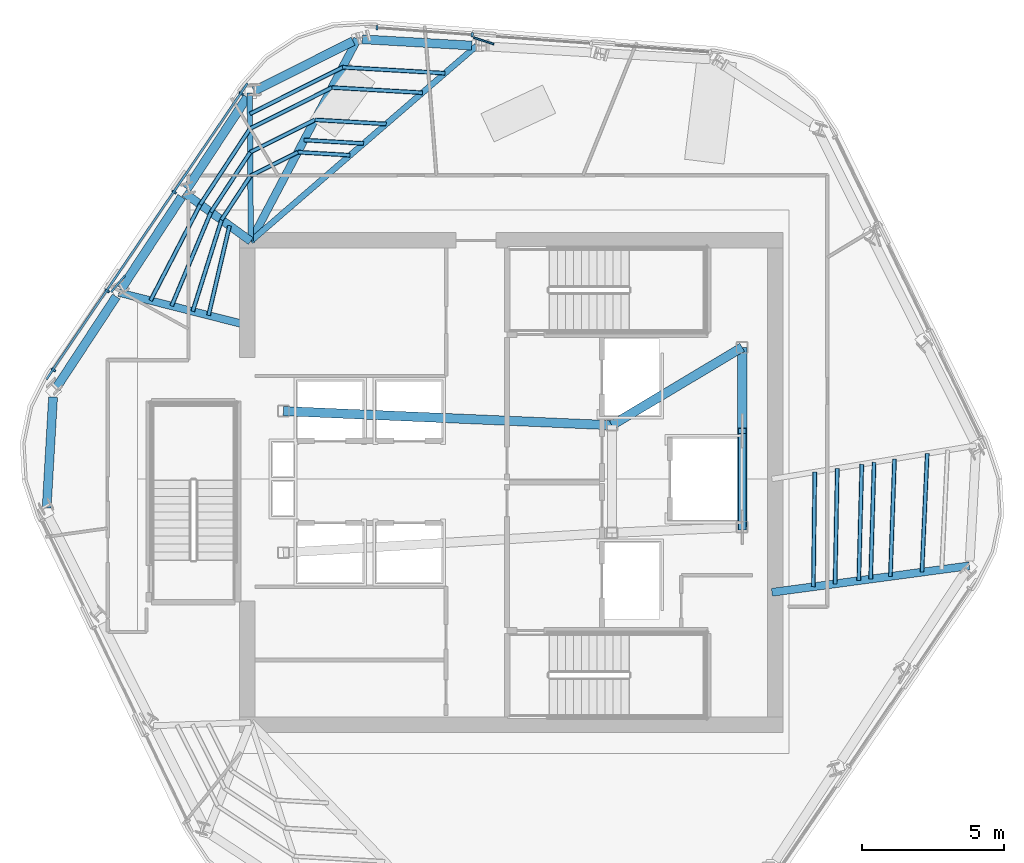
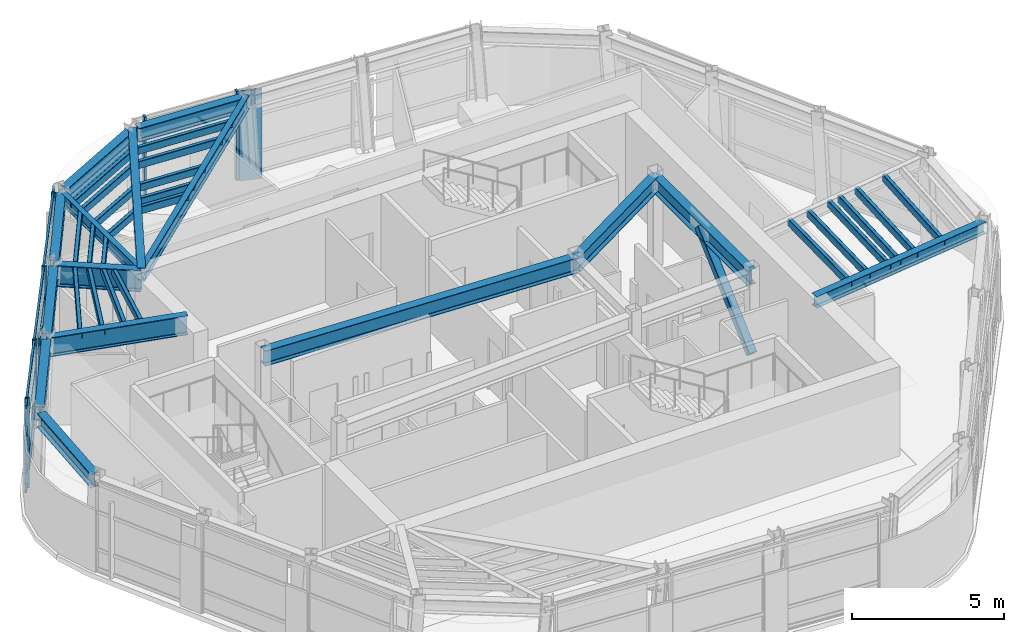
# One storey, part 3 of 11: 35 members, 15 beams, 2 elements without a shape of their own.
"""IFC4 building model written with IfcOpenShell, lengths in metres."""

import ifcopenshell
import ifcopenshell.guid

model = None  # the IFC model being written
_history = None  # IfcOwnerHistory: only IFC2X3 demands one
_inside = {}  # id of a spatial element -> (the spatial element, [elements in it])
_under = {}  # id of a project, library or spatial element -> (it, [spatial elements below it])
_declared = {}  # id of a project -> (the project, [libraries it declares])
_typed = {}  # id of a type object -> (the type object, [elements of that type])
_made_of = {}  # id of a material, layer set ... -> (it, [elements and type objects made of it])


def new_model(schema):
    """Start an empty IFC model of exactly this schema.

    Asked for "IFC4X3", IfcOpenShell would pick the latest addendum, in which some entities
    have other attributes; the version numbers below select the first issue.
    IFC2X3 requires an IfcOwnerHistory on every rooted entity: one is made here for all.
    """
    global model, _history
    if schema == "IFC4X3":
        model = ifcopenshell.file(schema_version=(4, 3, 0, 0))
    else:
        model = ifcopenshell.file(schema=schema)
    _inside.clear()
    _under.clear()
    _declared.clear()
    _typed.clear()
    _made_of.clear()
    _history = None
    if model.schema == "IFC2X3":
        org = make("IfcOrganization", Name="unknown")
        user = make(
            "IfcPersonAndOrganization",
            ThePerson=make("IfcPerson", FamilyName="unknown"),
            TheOrganization=org,
        )
        app = make(
            "IfcApplication",
            ApplicationDeveloper=org,
            Version="unknown",
            ApplicationFullName="unknown",
            ApplicationIdentifier="unknown",
        )
        _history = make(
            "IfcOwnerHistory",
            OwningUser=user,
            OwningApplication=app,
            ChangeAction="ADDED",
            CreationDate=0,
        )
    return model


def make(cls, **values):
    """One entity of the class cls with the attributes given. An attribute that is None is left unset."""
    return model.create_entity(
        cls, **{name: value for name, value in values.items() if value is not None}
    )


def rooted(cls, **values):
    """An entity with a GlobalId (a new one), such as an element, a storey or a relation."""
    return make(cls, GlobalId=ifcopenshell.guid.new(), OwnerHistory=_history, **values)


def si_unit(unit_type, name, prefix=None):
    """IfcSIUnit, for example si_unit("LENGTHUNIT", "METRE", prefix="MILLI")."""
    return make("IfcSIUnit", UnitType=unit_type, Prefix=prefix, Name=name)


def assignment(units):
    """IfcUnitAssignment: the units of a project."""
    return None if units is None else make("IfcUnitAssignment", Units=units)


def point(xyz):
    """IfcCartesianPoint."""
    return None if xyz is None else make("IfcCartesianPoint", Coordinates=xyz)


def direction(xyz):
    """IfcDirection."""
    return None if xyz is None else make("IfcDirection", DirectionRatios=xyz)


def frame(location, z_axis=None, x_axis=None):
    """IfcAxis2Placement3D, a coordinate frame: its origin and axes. An axis left out is left unset."""
    return make(
        "IfcAxis2Placement3D",
        Location=point(location),
        Axis=direction(z_axis),
        RefDirection=direction(x_axis),
    )


def frame_2d(location, x_axis=None):
    """IfcAxis2Placement2D, a coordinate frame in the plane: its origin and x axis."""
    return make(
        "IfcAxis2Placement2D", Location=point(location), RefDirection=direction(x_axis)
    )


def origin():
    """The frame at (0, 0, 0) with its axes left unset."""
    return frame((0.0, 0.0, 0.0))


def origin_2d():
    """The frame at (0, 0) in the plane with its x axis left unset."""
    return frame_2d((0.0, 0.0))


def place(relative_to, where):
    """IfcLocalPlacement: puts the frame where relative to a parent placement (None: the world)."""
    return make(
        "IfcLocalPlacement", PlacementRelTo=relative_to, RelativePlacement=where
    )


def context(
    kind, dimensions, precision=None, world=None, true_north=None, identifier=None
):
    """IfcGeometricRepresentationContext, for example the 3D "Model" context."""
    return make(
        "IfcGeometricRepresentationContext",
        ContextIdentifier=identifier,
        ContextType=kind,
        CoordinateSpaceDimension=dimensions,
        Precision=precision,
        WorldCoordinateSystem=world,
        TrueNorth=true_north,
    )


def subcontext(parent, identifier, kind, view, scale=None):
    """IfcGeometricRepresentationSubContext, for example "Body" below "Model"."""
    return make(
        "IfcGeometricRepresentationSubContext",
        ContextIdentifier=identifier,
        ContextType=kind,
        ParentContext=parent,
        TargetScale=scale,
        TargetView=view,
    )


def project(units=None, contexts=None):
    """IfcProject with its units and contexts."""
    return rooted(
        "IfcProject",
        Name="project",
        RepresentationContexts=contexts,
        UnitsInContext=assignment(units),
    )


def spatial(cls, under=None, at=None, **own):
    """A site, building, storey or space (cls), placed at a placement, below another one or the project."""
    s = rooted(cls, ObjectPlacement=at, **own)
    if under is not None:
        _under.setdefault(under.id(), (under, []))[1].append(s)
    return s


def profile(cls, at=None, kind="AREA", **sizes):
    """A parametric profile (cls). Its sizes go by their IFC names, for example OverallWidth=200.0."""
    return make(cls, ProfileType=kind, Position=at, **sizes)


def rectangle(**sizes):
    """IfcRectangleProfileDef."""
    return profile("IfcRectangleProfileDef", **sizes)


def hollow_rectangle(**sizes):
    """IfcRectangleHollowProfileDef."""
    return profile("IfcRectangleHollowProfileDef", **sizes)


def i_section(**sizes):
    """IfcIShapeProfileDef."""
    return profile("IfcIShapeProfileDef", **sizes)


def extrude(swept, where, along, depth):
    """IfcExtrudedAreaSolid: the profile swept, set in the frame where, extruded along a direction by depth."""
    return make(
        "IfcExtrudedAreaSolid",
        SweptArea=swept,
        Position=where,
        ExtrudedDirection=direction(along),
        Depth=depth,
    )


def shape(context_of_items, identifier, shape_type, items):
    """IfcShapeRepresentation: the items that make up one representation, for example the "Body"."""
    return make(
        "IfcShapeRepresentation",
        ContextOfItems=context_of_items,
        RepresentationIdentifier=identifier,
        RepresentationType=shape_type,
        Items=items,
    )


def material(Name=None, Category=None):
    """IfcMaterial."""
    return make("IfcMaterial", Name=Name, Category=Category)


def layer(
    of_material, thickness, ventilated=None, Name=None, Category=None, Priority=None
):
    """IfcMaterialLayer: one layer of a wall or slab, of a material (None: an air gap)."""
    return make(
        "IfcMaterialLayer",
        Material=of_material,
        LayerThickness=thickness,
        IsVentilated=ventilated,
        Name=Name,
        Category=Category,
        Priority=Priority,
    )


def layer_set(layers, Name=None):
    """IfcMaterialLayerSet."""
    return make("IfcMaterialLayerSet", MaterialLayers=layers, LayerSetName=Name)


def material_profile(
    of_material, cross_section, Name=None, Category=None, Priority=None
):
    """IfcMaterialProfile: a cross section and its material."""
    return make(
        "IfcMaterialProfile",
        Name=Name,
        Material=of_material,
        Profile=cross_section,
        Priority=Priority,
        Category=Category,
    )


def profile_set(profiles, Name=None, composite=None):
    """IfcMaterialProfileSet."""
    return make(
        "IfcMaterialProfileSet",
        Name=Name,
        MaterialProfiles=profiles,
        CompositeProfile=composite,
    )


def made_of(thing, what):
    """Note that an element or type object is made of a material, layer set ...; save() writes the relation."""
    if what is not None:
        _made_of.setdefault(what.id(), (what, []))[1].append(thing)
    return thing


def type_object(cls, material=None, **own):
    """A type object (cls), such as IfcWallType, which elements share."""
    return made_of(rooted(cls, **own), material)


def element(
    cls,
    number,
    at=None,
    inside=None,
    cuts=None,
    type_object=None,
    material=None,
    context=None,
    identifier="Body",
    shape_type=None,
    held_by="IfcProductDefinitionShape",
    body=None,
    shapes=None,
    **own,
):
    """One element of the class cls, such as IfcWall. Its Tag is "e" and its number.

    at: its placement. inside: the storey or other place that contains it. cuts: it is an
    opening in that element (IfcRelVoidsElement). A single representation is given by context,
    identifier, shape_type and body (its items); several are given by shapes. held_by: the class
    of the entity that holds the representations. save() writes the other relations.
    """
    e = rooted(cls, Tag="e%d" % number, ObjectPlacement=at, **own)
    if body is not None:
        shapes = [shape(context, identifier, shape_type, body)]
    if shapes is not None:
        e.Representation = make(held_by, Representations=shapes)
    if inside is not None:
        _inside.setdefault(inside.id(), (inside, []))[1].append(e)
    if cuts is not None:
        rooted(
            "IfcRelVoidsElement", RelatingBuildingElement=cuts, RelatedOpeningElement=e
        )
    if type_object is not None:
        _typed.setdefault(type_object.id(), (type_object, []))[1].append(e)
    return made_of(e, material)


def aggregate(whole, parts):
    """IfcRelAggregates: a whole, such as a stair, and the parts it consists of."""
    return rooted("IfcRelAggregates", RelatingObject=whole, RelatedObjects=parts)


def save(model, path):
    """Write the relations noted so far, then the file.

    IfcRelAggregates (storeys below a building ...), IfcRelContainedInSpatialStructure (elements
    in a storey), IfcRelDefinesByType, IfcRelAssociatesMaterial and IfcRelDeclares: one each for
    every whole, place, type object, material and project.
    """
    for whole, parts in _under.values():
        aggregate(whole, parts)
    for where, things in _inside.values():
        rooted(
            "IfcRelContainedInSpatialStructure",
            RelatedElements=things,
            RelatingStructure=where,
        )
    for kind, things in _typed.values():
        rooted("IfcRelDefinesByType", RelatedObjects=things, RelatingType=kind)
    for what, things in _made_of.values():
        rooted("IfcRelAssociatesMaterial", RelatedObjects=things, RelatingMaterial=what)
    for by, libraries in _declared.values():
        rooted("IfcRelDeclares", RelatingContext=by, RelatedDefinitions=libraries)
    model.write(path)


model = new_model("IFC4")

# Units and contexts
model_context = context("Model", 3, precision=1e-05, world=origin(), true_north=direction((0.0, 1.0)))
body_context = subcontext(model_context, "Body", "Model", "MODEL_VIEW")
ifc_project = project(units=[si_unit("LENGTHUNIT", "METRE"), si_unit("AREAUNIT", "SQUARE_METRE"), si_unit("VOLUMEUNIT", "CUBIC_METRE"), si_unit("PLANEANGLEUNIT", "RADIAN"), si_unit("MASSUNIT", "GRAM", prefix="KILO")], contexts=[model_context])

# Site, building, storey
site_placement = place(None, origin())
site = spatial("IfcSite", under=ifc_project, at=site_placement, CompositionType="ELEMENT")
building_placement = place(site_placement, origin())
building = spatial("IfcBuilding", under=site, at=building_placement, Name="Valkerne Bourse Tower", CompositionType="ELEMENT")
storey_placement = place(building_placement, frame((0.0, 0.0, 266.0)))
storey = spatial("IfcBuildingStorey", under=building, at=storey_placement, Name="L67", CompositionType="ELEMENT", Elevation=266.0)

# Beams
ifc_material_1 = material(Name="Steel ASTM A992", Category="steel")
ifc_material_profile_1 = material_profile(ifc_material_1, i_section(OverallWidth=0.1904296875, OverallDepth=0.457275390625, WebThickness=0.009033203125, FlangeThickness=0.014404296875, FilletRadius=0.01513671875, at=origin_2d()), Name="W18X50")
ifc_profile_set_1 = profile_set([ifc_material_profile_1], Name="Steel ASTM A992")
beam_type_1 = type_object("IfcBeamType", Name="BM-W18X50", PredefinedType="JOIST", material=ifc_profile_set_1)
beam_1_placement = place(storey_placement, frame((37.5654296875, 40.625, 3.371337890625), z_axis=(0.0066347479, -0.999977989818, 0.0), x_axis=(0.999977989818, 0.0066347479, 0.0)))
element("IfcBeam", 1, at=beam_1_placement, inside=storey, type_object=beam_type_1, Name="L67 Radial Composite Floor Beam 04", PredefinedType="JOIST", context=body_context, shape_type="SweptSolid", body=[
    extrude(i_section(OverallWidth=0.1904296875, OverallDepth=0.457275390625, WebThickness=0.009033203125, FlangeThickness=0.014404296875, FilletRadius=0.01513671875, at=origin_2d()), origin(), (0.0, 0.0, 1.0), 5.22509765625),
])
ifc_material_profile_2 = material_profile(ifc_material_1, i_section(OverallWidth=0.279296875, OverallDepth=0.46240234375, WebThickness=0.0107421875, FlangeThickness=0.017333984375, FilletRadius=0.017822265625, at=origin_2d()), Name="W18X76")
ifc_profile_set_2 = profile_set([ifc_material_profile_2], Name="Steel ASTM A992")
beam_type_2 = type_object("IfcBeamType", Name="BM-W18X76", PredefinedType="BEAM", material=ifc_profile_set_2)
beam_2_placement = place(storey_placement, frame((41.367431640625, 42.537109375, 3.368896484375), z_axis=(-0.466804625418, -0.884360470447, 0.0), x_axis=(0.884360470447, -0.466804625418, 0.0)))
element("IfcBeam", 2, at=beam_2_placement, inside=storey, type_object=beam_type_2, Name="L67 Radial Composite Floor Beam 03", PredefinedType="BEAM", context=body_context, shape_type="SweptSolid", body=[
    extrude(i_section(OverallWidth=0.279296875, OverallDepth=0.46240234375, WebThickness=0.0107421875, FlangeThickness=0.017333984375, FilletRadius=0.017822265625, at=origin_2d()), origin(), (0.0, 0.0, 1.0), 8.070556640625),
])
beam_3_placement = place(storey_placement, frame((62.971923828125, 23.936279296875, 3.368896484375), z_axis=(-0.991102882, -0.133097998826, 0.0), x_axis=(0.133097998826, -0.991102882, 0.0)))
element("IfcBeam", 3, at=beam_3_placement, inside=storey, type_object=beam_type_2, Name="L67 Radial Composite Floor Beam 19", PredefinedType="BEAM", context=body_context, shape_type="SweptSolid", body=[
    extrude(i_section(OverallWidth=0.279296875, OverallDepth=0.46240234375, WebThickness=0.0107421875, FlangeThickness=0.017333984375, FilletRadius=0.017822265625, at=origin_2d()), origin(), (0.0, 0.0, 1.0), 7.034423828125),
])
ifc_material_profile_3 = material_profile(ifc_material_1, i_section(OverallWidth=0.31494140625, OverallDepth=0.5537109375, WebThickness=0.0166015625, FlangeThickness=0.026123046875, FilletRadius=0.020263671875, at=origin_2d()), Name="W21X132")
ifc_profile_set_3 = profile_set([ifc_material_profile_3], Name="Steel ASTM A992")
beam_type_3 = type_object("IfcBeamType", Name="BM-W21X132", PredefinedType="BEAM", material=ifc_profile_set_3)
beam_4_placement = place(storey_placement, frame((45.402587890625, 42.3046875, 3.322998046875), z_axis=(-0.998345166941, 0.057505892266, 0.0), x_axis=(-0.057505892266, -0.998345166941, 0.0)))
element("IfcBeam", 4, at=beam_4_placement, inside=storey, type_object=beam_type_3, Name="L67 Hexagonal Spandrel Ring Beam 02", PredefinedType="BEAM", context=body_context, shape_type="SweptSolid", body=[
    extrude(i_section(OverallWidth=0.31494140625, OverallDepth=0.5537109375, WebThickness=0.0166015625, FlangeThickness=0.026123046875, FilletRadius=0.020263671875, at=origin_2d()), origin(), (0.0, 0.0, 1.0), 3.871826171875),
])
beam_5_placement = place(storey_placement, frame((41.215576171875, 42.460693359375, 3.322998046875), z_axis=(-0.89338981278, -0.4492823638, 0.0), x_axis=(0.4492823638, -0.89338981278, 0.0)))
element("IfcBeam", 5, at=beam_5_placement, inside=storey, type_object=beam_type_3, Name="L67 Hexagonal Spandrel Ring Beam 03", PredefinedType="BEAM", context=body_context, shape_type="SweptSolid", body=[
    extrude(i_section(OverallWidth=0.31494140625, OverallDepth=0.5537109375, WebThickness=0.0166015625, FlangeThickness=0.026123046875, FilletRadius=0.020263671875, at=origin_2d()), origin(), (0.0, 0.0, 1.0), 3.915771484375),
])
for number, where, z_axis, x_axis, name in (
    (6, (37.47216796875, 40.48291015625, 3.322998046875), (-0.549070935457, -0.835775752123, 0.0), (0.835775752123, -0.549070935457, 0.0), "L67 Hexagonal Spandrel Ring Beam 04"),
    (7, (35.15966796875, 36.962646484375, 3.322998046875), (-0.549042001335, -0.835794759956, 0.0), (0.835794759956, -0.549042001335, 0.0), "L67 Hexagonal Spandrel Ring Beam 05"),
    (8, (32.84716796875, 33.442138671875, 3.322998046875), (-0.54899795508, -0.835823692723, 0.0), (0.835823692723, -0.54899795508, 0.0), "L67 Hexagonal Spandrel Ring Beam 06"),
):
    element("IfcBeam", number, at=place(storey_placement, frame(where, z_axis=z_axis, x_axis=x_axis)), inside=storey, type_object=beam_type_3, Name=name, PredefinedType="BEAM", context=body_context, shape_type="SweptSolid", body=[
        extrude(i_section(OverallWidth=0.31494140625, OverallDepth=0.5537109375, WebThickness=0.0166015625, FlangeThickness=0.026123046875, FilletRadius=0.020263671875, at=origin_2d()), origin(), (0.0, 0.0, 1.0), 3.8720703125),
    ])
beam_6_placement = place(storey_placement, frame((30.618408203125, 29.89404296875, 3.322998046875), z_axis=(-0.05761087569, -0.99833911423, 0.0), x_axis=(0.99833911423, -0.05761087569, 0.0)))
element("IfcBeam", 9, at=beam_6_placement, inside=storey, type_object=beam_type_3, Name="L67 Hexagonal Spandrel Ring Beam 07", PredefinedType="BEAM", context=body_context, shape_type="SweptSolid", body=[
    extrude(i_section(OverallWidth=0.31494140625, OverallDepth=0.5537109375, WebThickness=0.0166015625, FlangeThickness=0.026123046875, FilletRadius=0.020263671875, at=origin_2d()), origin(), (0.0, 0.0, 1.0), 3.915771484375),
])
ifc_material_profile_4 = material_profile(ifc_material_1, i_section(OverallWidth=0.209228515625, OverallDepth=0.533447265625, WebThickness=0.01025390625, FlangeThickness=0.015625, FilletRadius=0.017822265625, at=origin_2d()), Name="W21X62")
ifc_profile_set_4 = profile_set([ifc_material_profile_4], Name="Steel ASTM A992")
beam_type_4 = type_object("IfcBeamType", Name="BM-W21X62", PredefinedType="JOIST", material=ifc_profile_set_4)
beam_7_placement = place(storey_placement, frame((45.572509765625, 42.294921875, 3.333251953125), z_axis=(-0.756365030854, -0.654149784149, 0.0), x_axis=(0.654149784149, -0.756365030854, 0.0)))
element("IfcBeam", 10, at=beam_7_placement, inside=storey, type_object=beam_type_4, Name="L67 Radial Composite Floor Beam 02", PredefinedType="JOIST", context=body_context, shape_type="SweptSolid", body=[
    extrude(i_section(OverallWidth=0.209228515625, OverallDepth=0.533447265625, WebThickness=0.01025390625, FlangeThickness=0.015625, FilletRadius=0.017822265625, at=origin_2d()), origin(), (0.0, 0.0, 1.0), 10.54052734375),
])
ifc_material_profile_5 = material_profile(ifc_material_1, i_section(OverallWidth=0.3251953125, OverallDepth=0.612060546875, WebThickness=0.0126953125, FlangeThickness=0.01904296875, FilletRadius=0.020263671875, at=origin_2d()), Name="W24X104")
ifc_profile_set_5 = profile_set([ifc_material_profile_5], Name="Steel ASTM A992")
beam_type_5 = type_object("IfcBeamType", Name="BM-W24X104", PredefinedType="BEAM", material=ifc_profile_set_5)
beam_8_placement = place(storey_placement, frame((50.35009765625, 28.89990234375, 3.2939453125), z_axis=(0.858307823492, 0.513135148019, 0.0), x_axis=(-0.513135148019, 0.858307823492, 0.0)))
element("IfcBeam", 11, at=beam_8_placement, inside=storey, type_object=beam_type_5, Name="L67 Core Frame Girder CG-NE", PredefinedType="BEAM", context=body_context, shape_type="SweptSolid", body=[
    extrude(i_section(OverallWidth=0.3251953125, OverallDepth=0.612060546875, WebThickness=0.0126953125, FlangeThickness=0.01904296875, FilletRadius=0.020263671875, at=origin_2d()), origin(), (0.0, 0.0, 1.0), 5.359130859375),
])
beam_9_placement = place(storey_placement, frame((54.949951171875, 25.300048828125, 3.2939453125), z_axis=(0.0, 1.0, 0.0), x_axis=(-1.0, 0.0, 0.0)))
element("IfcBeam", 12, at=beam_9_placement, inside=storey, type_object=beam_type_5, Name="L67 Core Frame Girder CG-EE", PredefinedType="BEAM", context=body_context, shape_type="SweptSolid", body=[
    extrude(i_section(OverallWidth=0.3251953125, OverallDepth=0.612060546875, WebThickness=0.0126953125, FlangeThickness=0.01904296875, FilletRadius=0.020263671875, at=origin_2d()), origin(), (0.0, 0.0, 1.0), 6.349853515625),
])
beam_10_placement = place(storey_placement, frame((38.75, 29.39990234375, 3.2939453125), z_axis=(0.999072354402, -0.043063101019, 0.0), x_axis=(0.043063101019, 0.999072354402, 0.0)))
element("IfcBeam", 13, at=beam_10_placement, inside=storey, type_object=beam_type_5, Name="L67 Core Frame Girder CG-NW", PredefinedType="BEAM", context=body_context, shape_type="SweptSolid", body=[
    extrude(i_section(OverallWidth=0.3251953125, OverallDepth=0.612060546875, WebThickness=0.0126953125, FlangeThickness=0.01904296875, FilletRadius=0.020263671875, at=origin_2d()), origin(), (0.0, 0.0, 1.0), 11.61083984375),
])
ifc_material_profile_6 = material_profile(ifc_material_1, i_section(OverallWidth=0.26806640625, OverallDepth=0.76953125, WebThickness=0.015625, FlangeThickness=0.025390625, FilletRadius=0.025390625, at=origin_2d()), Name="W30X132")
ifc_profile_set_6 = profile_set([ifc_material_profile_6], Name="Steel ASTM A992")
beam_type_6 = type_object("IfcBeamType", Name="BM-W30X132", PredefinedType="BEAM", material=ifc_profile_set_6)
beam_11_placement = place(storey_placement, frame((32.9404296875, 33.584228515625, 3.215087890625), z_axis=(0.969185176906, -0.246333296299, 0.0), x_axis=(0.246333296299, 0.969185176906, 0.0)))
element("IfcBeam", 14, at=beam_11_placement, inside=storey, type_object=beam_type_6, Name="L67 Radial Composite Floor Beam 06", PredefinedType="BEAM", context=body_context, shape_type="SweptSolid", body=[
    extrude(i_section(OverallWidth=0.26806640625, OverallDepth=0.76953125, WebThickness=0.015625, FlangeThickness=0.025390625, FilletRadius=0.025390625, at=origin_2d()), origin(), (0.0, 0.0, 1.0), 4.807861328125),
])
ifc_material_profile_7 = material_profile(ifc_material_1, i_section(OverallWidth=0.2919921875, OverallDepth=0.8583984375, WebThickness=0.01708984375, FlangeThickness=0.031005859375, FilletRadius=0.025390625, at=origin_2d()), Name="W33X169")
ifc_profile_set_7 = profile_set([ifc_material_profile_7], Name="Steel ASTM A992")
beam_type_7 = type_object("IfcBeamType", Name="BM-W33X169", PredefinedType="BEAM", material=ifc_profile_set_7)
beam_12_placement = place(storey_placement, frame((35.2529296875, 37.104736328125, 3.170654296875), z_axis=(0.809096220334, -0.587676191657, 0.0), x_axis=(0.587676191657, 0.809096220334, 0.0)))
element("IfcBeam", 15, at=beam_12_placement, inside=storey, type_object=beam_type_7, Name="L67 Radial Composite Floor Beam 05", PredefinedType="BEAM", context=body_context, shape_type="SweptSolid", body=[
    extrude(i_section(OverallWidth=0.2919921875, OverallDepth=0.8583984375, WebThickness=0.01708984375, FlangeThickness=0.031005859375, FilletRadius=0.025390625, at=origin_2d()), origin(), (0.0, 0.0, 1.0), 2.90087890625),
])

# Curtain wall, members
ifc_material_2 = material(Name="Aluminium AA 6063-T6", Category="aluminium")
ifc_layer = layer(ifc_material_2, 0.2451171875)
ifc_layer_set = layer_set([ifc_layer], Name="Aluminium AA 6063-T6")
curtain_wall_type = type_object("IfcCurtainWallType", Name="CW-05", PredefinedType="NOTDEFINED", material=ifc_layer_set)
curtain_wall_1_placement = place(storey_placement, origin())
curtain_wall_1 = element("IfcCurtainWall", 16, at=curtain_wall_1_placement, inside=storey, type_object=curtain_wall_type, Name="L67 Hexagonal Stick Curtain Wall Face 1", PredefinedType="NOTDEFINED")
ifc_material_profile_8 = material_profile(ifc_material_2, rectangle(XDim=0.074951171875, YDim=0.159912109375, at=origin_2d()), Name="CWM-75X160")
ifc_profile_set_8 = profile_set([ifc_material_profile_8], Name="Aluminium AA 6063-T6")
member_type_1 = type_object("IfcMemberType", Name="CW-MUL-160X75", PredefinedType="MULLION", material=ifc_profile_set_8)
member_1_placement = place(storey_placement, frame((45.418701171875, 42.681884765625, 0.0), z_axis=(0.0, 0.0, 1.0), x_axis=(-0.997315866516, 0.073219276126, 0.0)))
member_1 = element("IfcMember", 17, at=member_1_placement, type_object=member_type_1, Name="CW-L67-F1 Jamb Mullion 02A", PredefinedType="MULLION", context=body_context, shape_type="SweptSolid", body=[
    extrude(rectangle(XDim=0.074951171875, YDim=0.159912109375, at=origin_2d()), origin(), (0.0, 0.0, 1.0), 3.60009765625),
])
member_2_placement = place(storey_placement, frame((42.055908203125, 42.928955078125, 0.0), z_axis=(0.0, 0.0, 1.0), x_axis=(-0.997315866516, 0.073219276126, 0.0)))
member_2 = element("IfcMember", 18, at=member_2_placement, type_object=member_type_1, Name="CW-L67-F1 Jamb Mullion 02B", PredefinedType="MULLION", context=body_context, shape_type="SweptSolid", body=[
    extrude(rectangle(XDim=0.074951171875, YDim=0.159912109375, at=origin_2d()), origin(), (0.0, 0.0, 1.0), 3.60009765625),
])
aggregate(curtain_wall_1, [member_1, member_2])

curtain_wall_2_placement = place(storey_placement, origin())
curtain_wall_2 = element("IfcCurtainWall", 19, at=curtain_wall_2_placement, inside=storey, type_object=curtain_wall_type, Name="L67 Hexagonal Stick Curtain Wall Face 2", PredefinedType="NOTDEFINED")
member_3_placement = place(storey_placement, frame((37.263427734375, 40.6123046875, 0.0), z_axis=(0.0, 0.0, 1.0), x_axis=(-0.562080117496, -0.827082790001, 0.0)))
member_3 = element("IfcMember", 20, at=member_3_placement, type_object=member_type_1, Name="CW-L67-F2 Jamb Mullion 00A", PredefinedType="MULLION", context=body_context, shape_type="SweptSolid", body=[
    extrude(rectangle(XDim=0.074951171875, YDim=0.159912109375, at=origin_2d()), origin(), (0.0, 0.0, 1.0), 3.60009765625),
])
member_4_placement = place(storey_placement, frame((34.89599609375, 37.12841796875, 0.0), z_axis=(0.0, 0.0, 1.0), x_axis=(-0.562080117496, -0.827082790001, 0.0)))
member_4 = element("IfcMember", 21, at=member_4_placement, type_object=member_type_1, Name="CW-L67-F2 Jamb Mullion 01A", PredefinedType="MULLION", context=body_context, shape_type="SweptSolid", body=[
    extrude(rectangle(XDim=0.074951171875, YDim=0.159912109375, at=origin_2d()), origin(), (0.0, 0.0, 1.0), 3.60009765625),
])
member_5_placement = place(storey_placement, frame((32.5283203125, 33.644775390625, 0.0), z_axis=(0.0, 0.0, 1.0), x_axis=(-0.562091154776, -0.827075289029, 0.0)))
member_5 = element("IfcMember", 22, at=member_5_placement, type_object=member_type_1, Name="CW-L67-F2 Jamb Mullion 02A", PredefinedType="MULLION", context=body_context, shape_type="SweptSolid", body=[
    extrude(rectangle(XDim=0.074951171875, YDim=0.159912109375, at=origin_2d()), origin(), (0.0, 0.0, 1.0), 3.60009765625),
])
member_6_placement = place(storey_placement, frame((30.633056640625, 30.85595703125, 0.0), z_axis=(0.0, 0.0, 1.0), x_axis=(-0.562091154776, -0.827075289029, 0.0)))
member_6 = element("IfcMember", 23, at=member_6_placement, type_object=member_type_1, Name="CW-L67-F2 Jamb Mullion 02B", PredefinedType="MULLION", context=body_context, shape_type="SweptSolid", body=[
    extrude(rectangle(XDim=0.074951171875, YDim=0.159912109375, at=origin_2d()), origin(), (0.0, 0.0, 1.0), 3.60009765625),
])
ifc_material_profile_9 = material_profile(ifc_material_2, rectangle(XDim=0.074951171875, YDim=0.1201171875, at=origin_2d()), Name="CWT-75X120")
ifc_profile_set_9 = profile_set([ifc_material_profile_9], Name="Aluminium AA 6063-T6")
member_type_2 = type_object("IfcMemberType", Name="CW-TRN-120X75", PredefinedType="USERDEFINED", material=ifc_profile_set_9)
member_7_placement = place(storey_placement, frame((37.48291015625, 40.970947265625, 0.1201171875), z_axis=(-0.562075353029, -0.827086027882, 0.0), x_axis=(0.827086027882, -0.562075353029, 0.0)))
member_7 = element("IfcMember", 24, at=member_7_placement, type_object=member_type_2, Name="CW-L67-F2 Continuous Face Transom 1", ObjectType="TRANSOM", PredefinedType="USERDEFINED", context=body_context, shape_type="SweptSolid", body=[
    extrude(rectangle(XDim=0.074951171875, YDim=0.1201171875, at=origin_2d()), origin(), (0.0, 0.0, 1.0), 12.6357421875),
])
member_8_placement = place(storey_placement, frame((37.48291015625, 40.970947265625, 0.89990234375), z_axis=(-0.562075353029, -0.827086027882, 0.0), x_axis=(0.827086027882, -0.562075353029, 0.0)))
member_8 = element("IfcMember", 25, at=member_8_placement, type_object=member_type_2, Name="CW-L67-F2 Continuous Face Transom 2", ObjectType="TRANSOM", PredefinedType="USERDEFINED", context=body_context, shape_type="SweptSolid", body=[
    extrude(rectangle(XDim=0.074951171875, YDim=0.1201171875, at=origin_2d()), origin(), (0.0, 0.0, 1.0), 12.6357421875),
])
member_9_placement = place(storey_placement, frame((37.48291015625, 40.970947265625, 2.39990234375), z_axis=(-0.562075353029, -0.827086027882, 0.0), x_axis=(0.827086027882, -0.562075353029, 0.0)))
member_9 = element("IfcMember", 26, at=member_9_placement, type_object=member_type_2, Name="CW-L67-F2 Continuous Face Transom 3", ObjectType="TRANSOM", PredefinedType="USERDEFINED", context=body_context, shape_type="SweptSolid", body=[
    extrude(rectangle(XDim=0.074951171875, YDim=0.1201171875, at=origin_2d()), origin(), (0.0, 0.0, 1.0), 12.6357421875),
])
member_10_placement = place(storey_placement, frame((37.48291015625, 40.970947265625, 3.52001953125), z_axis=(-0.562075353029, -0.827086027882, 0.0), x_axis=(0.827086027882, -0.562075353029, 0.0)))
member_10 = element("IfcMember", 27, at=member_10_placement, type_object=member_type_2, Name="CW-L67-F2 Continuous Face Transom 4", ObjectType="TRANSOM", PredefinedType="USERDEFINED", context=body_context, shape_type="SweptSolid", body=[
    extrude(rectangle(XDim=0.074951171875, YDim=0.1201171875, at=origin_2d()), origin(), (0.0, 0.0, 1.0), 12.6357421875),
])
aggregate(curtain_wall_2, [member_7, member_8, member_9, member_10, member_3, member_4, member_5, member_6])

# Members
ifc_material_3 = material(Name="Bronze Anodised Aluminium AA 6063-T6", Category="aluminium")
ifc_material_profile_10 = material_profile(ifc_material_3, rectangle(XDim=0.06494140625, YDim=0.75, at=origin_2d()), Name="FIN-65X750")
ifc_profile_set_10 = profile_set([ifc_material_profile_10], Name="Bronze Anodised Aluminium AA 6063-T6")
member_type_3 = type_object("IfcMemberType", Name="FIN-SOLAR-650", PredefinedType="USERDEFINED", material=ifc_profile_set_10)
for number, where, z_axis, x_axis, name in (
    (28, (45.824462890625, 42.4716796875, 0.00390625), (0.0, 0.0, 1.0), (0.310914268998, 0.950437960802, 0.0), "L67 Bronze Anodised Solar Fin F1-02"),
    (29, (32.913330078125, 33.89111328125, 0.00390625), (0.0, 0.0, 1.0), (-0.767971418356, 0.640484114236, 0.0), "L67 Bronze Anodised Solar Fin F2-02"),
):
    element("IfcMember", number, at=place(storey_placement, frame(where, z_axis=z_axis, x_axis=x_axis)), inside=storey, type_object=member_type_3, Name=name, ObjectType="SOLAR_FIN", PredefinedType="USERDEFINED", context=body_context, shape_type="SweptSolid", body=[
        extrude(rectangle(XDim=0.06494140625, YDim=0.75, at=origin_2d()), origin(), (0.0, 0.0, 1.0), 3.592041015625),
    ])
ifc_material_4 = material(Name="Steel ASTM A500 Grade C", Category="steel")
ifc_material_profile_11 = material_profile(ifc_material_4, hollow_rectangle(XDim=0.14990234375, YDim=0.300048828125, WallThickness=0.012451171875, OuterFilletRadius=0.02490234375, at=origin_2d()), Name="HSS300X150X12.5")
ifc_profile_set_11 = profile_set([ifc_material_profile_11], Name="Steel ASTM A500 Grade C")
member_type_4 = type_object("IfcMemberType", Name="MBR-HSS300X150X12.5", PredefinedType="PURLIN", material=ifc_profile_set_11)
member_11_placement = place(storey_placement, frame((36.84912109375, 35.945556640625, 3.43994140625), z_axis=(-0.227616424919, -0.973750873225, 0.0), x_axis=(0.973750873225, -0.227616424919, 0.0)))
element("IfcMember", 30, at=member_11_placement, inside=storey, type_object=member_type_4, Name="L67 Secondary Composite Floor Purlin I-05", PredefinedType="PURLIN", context=body_context, shape_type="SweptSolid", body=[
    extrude(hollow_rectangle(XDim=0.14990234375, YDim=0.300048828125, WallThickness=0.012451171875, OuterFilletRadius=0.02490234375, at=origin_2d()), origin(), (0.0, 0.0, 1.0), 3.252197265625),
])
member_12_placement = place(storey_placement, frame((58.23095703125, 23.299560546875, 3.43994140625), z_axis=(0.019206510334, 0.999815537967, 0.0), x_axis=(-0.999815537967, 0.019206510334, 0.0)))
element("IfcMember", 31, at=member_12_placement, inside=storey, type_object=member_type_4, Name="L67 Secondary Composite Floor Purlin I-19", PredefinedType="PURLIN", context=body_context, shape_type="SweptSolid", body=[
    extrude(hollow_rectangle(XDim=0.14990234375, YDim=0.300048828125, WallThickness=0.012451171875, OuterFilletRadius=0.02490234375, at=origin_2d()), origin(), (0.0, 0.0, 1.0), 4.080322265625),
])
member_13_placement = place(storey_placement, frame((41.10791015625, 38.43359375, 3.43994140625), z_axis=(-0.998341398143, 0.05757128411, 0.0), x_axis=(-0.05757128411, -0.998341398143, 0.0)))
element("IfcMember", 32, at=member_13_placement, inside=storey, type_object=member_type_4, Name="L67 Secondary Composite Floor Purlin K-02", PredefinedType="PURLIN", context=body_context, shape_type="SweptSolid", body=[
    extrude(hollow_rectangle(XDim=0.14990234375, YDim=0.300048828125, WallThickness=0.012451171875, OuterFilletRadius=0.02490234375, at=origin_2d()), origin(), (0.0, 0.0, 1.0), 1.853271484375),
])
member_14_placement = place(storey_placement, frame((39.2578125, 38.540283203125, 3.43994140625), z_axis=(-0.893408012895, -0.449246171375, 0.0), x_axis=(0.449246171375, -0.893408012895, 0.0)))
element("IfcMember", 33, at=member_14_placement, inside=storey, type_object=member_type_4, Name="L67 Secondary Composite Floor Purlin K-03", PredefinedType="PURLIN", context=body_context, shape_type="SweptSolid", body=[
    extrude(hollow_rectangle(XDim=0.14990234375, YDim=0.300048828125, WallThickness=0.012451171875, OuterFilletRadius=0.02490234375, at=origin_2d()), origin(), (0.0, 0.0, 1.0), 1.872802734375),
])
member_15_placement = place(storey_placement, frame((37.584716796875, 37.698974609375, 3.43994140625), z_axis=(-0.54900173224, -0.835821211742, 0.0), x_axis=(0.835821211742, -0.54900173224, 0.0)))
element("IfcMember", 34, at=member_15_placement, inside=storey, type_object=member_type_4, Name="L67 Secondary Composite Floor Purlin K-04", PredefinedType="PURLIN", context=body_context, shape_type="SweptSolid", body=[
    extrude(hollow_rectangle(XDim=0.14990234375, YDim=0.300048828125, WallThickness=0.012451171875, OuterFilletRadius=0.02490234375, at=origin_2d()), origin(), (0.0, 0.0, 1.0), 1.85302734375),
])
member_16_placement = place(storey_placement, frame((36.5673828125, 36.150146484375, 3.43994140625), z_axis=(-0.300544641739, -0.953767748628, 0.0), x_axis=(0.953767748628, -0.300544641739, 0.0)))
element("IfcMember", 35, at=member_16_placement, inside=storey, type_object=member_type_4, Name="L67 Secondary Composite Floor Purlin K-05", PredefinedType="PURLIN", context=body_context, shape_type="SweptSolid", body=[
    extrude(hollow_rectangle(XDim=0.14990234375, YDim=0.300048828125, WallThickness=0.012451171875, OuterFilletRadius=0.02490234375, at=origin_2d()), origin(), (0.0, 0.0, 1.0), 3.3857421875),
])
member_17_placement = place(storey_placement, frame((59.067626953125, 23.411865234375, 3.43994140625), z_axis=(0.026191107222, 0.999656954111, 0.0), x_axis=(-0.999656954111, 0.026191107222, 0.0)))
element("IfcMember", 36, at=member_17_placement, inside=storey, type_object=member_type_4, Name="L67 Secondary Composite Floor Purlin K-19", PredefinedType="PURLIN", context=body_context, shape_type="SweptSolid", body=[
    extrude(hollow_rectangle(XDim=0.14990234375, YDim=0.300048828125, WallThickness=0.012451171875, OuterFilletRadius=0.02490234375, at=origin_2d()), origin(), (0.0, 0.0, 1.0), 4.11083984375),
])
member_18_placement = place(storey_placement, frame((41.586181640625, 38.847412109375, 3.43994140625), z_axis=(-0.998345577173, 0.057498769888, 0.0), x_axis=(-0.057498769888, -0.998345577173, 0.0)))
element("IfcMember", 37, at=member_18_placement, inside=storey, type_object=member_type_4, Name="L67 Secondary Composite Floor Purlin M-02", PredefinedType="PURLIN", context=body_context, shape_type="SweptSolid", body=[
    extrude(hollow_rectangle(XDim=0.14990234375, YDim=0.300048828125, WallThickness=0.012451171875, OuterFilletRadius=0.02490234375, at=origin_2d()), origin(), (0.0, 0.0, 1.0), 2.10595703125),
])
member_19_placement = place(storey_placement, frame((59.486083984375, 23.468017578125, 3.43994140625), z_axis=(0.029644220522, 0.999560513521, 0.0), x_axis=(-0.999560513521, 0.029644220522, 0.0)))
element("IfcMember", 38, at=member_19_placement, inside=storey, type_object=member_type_4, Name="L67 Secondary Composite Floor Purlin M-19", PredefinedType="PURLIN", context=body_context, shape_type="SweptSolid", body=[
    extrude(hollow_rectangle(XDim=0.14990234375, YDim=0.300048828125, WallThickness=0.012451171875, OuterFilletRadius=0.02490234375, at=origin_2d()), origin(), (0.0, 0.0, 1.0), 4.1259765625),
])
member_20_placement = place(storey_placement, frame((43.658935546875, 40.639892578125, 3.43994140625), z_axis=(-0.998340784924, 0.05758191693, 0.0), x_axis=(-0.05758191693, -0.998340784924, 0.0)))
element("IfcMember", 39, at=member_20_placement, inside=storey, type_object=member_type_4, Name="L67 Secondary Composite Floor Purlin O-02", PredefinedType="PURLIN", context=body_context, shape_type="SweptSolid", body=[
    extrude(hollow_rectangle(XDim=0.14990234375, YDim=0.300048828125, WallThickness=0.012451171875, OuterFilletRadius=0.02490234375, at=origin_2d()), origin(), (0.0, 0.0, 1.0), 3.201171875),
])
member_21_placement = place(storey_placement, frame((40.463134765625, 40.82421875, 3.43994140625), z_axis=(-0.89338305041, -0.449295810396, 0.0), x_axis=(0.449295810396, -0.89338305041, 0.0)))
element("IfcMember", 40, at=member_21_placement, inside=storey, type_object=member_type_4, Name="L67 Secondary Composite Floor Purlin O-03", PredefinedType="PURLIN", context=body_context, shape_type="SweptSolid", body=[
    extrude(hollow_rectangle(XDim=0.14990234375, YDim=0.300048828125, WallThickness=0.012451171875, OuterFilletRadius=0.02490234375, at=origin_2d()), origin(), (0.0, 0.0, 1.0), 3.234130859375),
])
member_22_placement = place(storey_placement, frame((37.57373046875, 39.37109375, 3.43994140625), z_axis=(-0.548984590384, -0.835832470966, 0.0), x_axis=(0.835832470966, -0.548984590384, 0.0)))
element("IfcMember", 41, at=member_22_placement, inside=storey, type_object=member_type_4, Name="L67 Secondary Composite Floor Purlin O-04", PredefinedType="PURLIN", context=body_context, shape_type="SweptSolid", body=[
    extrude(hollow_rectangle(XDim=0.14990234375, YDim=0.300048828125, WallThickness=0.012451171875, OuterFilletRadius=0.02490234375, at=origin_2d()), origin(), (0.0, 0.0, 1.0), 3.200927734375),
])
member_23_placement = place(storey_placement, frame((35.81640625, 36.695556640625, 3.43994140625), z_axis=(-0.459685203552, -0.888081929574, 0.0), x_axis=(0.888081929574, -0.459685203552, 0.0)))
element("IfcMember", 42, at=member_23_placement, inside=storey, type_object=member_type_4, Name="L67 Secondary Composite Floor Purlin O-05", PredefinedType="PURLIN", context=body_context, shape_type="SweptSolid", body=[
    extrude(hollow_rectangle(XDim=0.14990234375, YDim=0.300048828125, WallThickness=0.012451171875, OuterFilletRadius=0.02490234375, at=origin_2d()), origin(), (0.0, 0.0, 1.0), 3.823486328125),
])
member_24_placement = place(storey_placement, frame((61.298583984375, 23.71142578125, 3.43994140625), z_axis=(0.044425148741, 0.999012715715, 0.0), x_axis=(-0.999012715715, 0.044425148741, 0.0)))
element("IfcMember", 43, at=member_24_placement, inside=storey, type_object=member_type_4, Name="L67 Secondary Composite Floor Purlin O-19", PredefinedType="PURLIN", context=body_context, shape_type="SweptSolid", body=[
    extrude(hollow_rectangle(XDim=0.14990234375, YDim=0.300048828125, WallThickness=0.012451171875, OuterFilletRadius=0.02490234375, at=origin_2d()), origin(), (0.0, 0.0, 1.0), 4.193115234375),
])
member_25_placement = place(storey_placement, frame((42.38330078125, 39.536865234375, 3.43994140625), z_axis=(-0.998341009776, 0.057578018369, 0.0), x_axis=(-0.057578018369, -0.998341009776, 0.0)))
element("IfcMember", 44, at=member_25_placement, inside=storey, type_object=member_type_4, Name="L67 Secondary Composite Floor Purlin Z-02", PredefinedType="PURLIN", context=body_context, shape_type="SweptSolid", body=[
    extrude(hollow_rectangle(XDim=0.14990234375, YDim=0.300048828125, WallThickness=0.012451171875, OuterFilletRadius=0.02490234375, at=origin_2d()), origin(), (0.0, 0.0, 1.0), 2.527099609375),
])
member_26_placement = place(storey_placement, frame((39.8603515625, 39.682373046875, 3.43994140625), z_axis=(-0.893372902805, -0.4493159874, 0.0), x_axis=(0.4493159874, -0.893372902805, 0.0)))
element("IfcMember", 45, at=member_26_placement, inside=storey, type_object=member_type_4, Name="L67 Secondary Composite Floor Purlin Z-03", PredefinedType="PURLIN", context=body_context, shape_type="SweptSolid", body=[
    extrude(hollow_rectangle(XDim=0.14990234375, YDim=0.300048828125, WallThickness=0.012451171875, OuterFilletRadius=0.02490234375, at=origin_2d()), origin(), (0.0, 0.0, 1.0), 2.55322265625),
])
member_27_placement = place(storey_placement, frame((37.579345703125, 38.53515625, 3.43994140625), z_axis=(-0.549002455624, -0.835820736593, 0.0), x_axis=(0.835820736593, -0.549002455624, 0.0)))
element("IfcMember", 46, at=member_27_placement, inside=storey, type_object=member_type_4, Name="L67 Secondary Composite Floor Purlin Z-04", PredefinedType="PURLIN", context=body_context, shape_type="SweptSolid", body=[
    extrude(hollow_rectangle(XDim=0.14990234375, YDim=0.300048828125, WallThickness=0.012451171875, OuterFilletRadius=0.02490234375, at=origin_2d()), origin(), (0.0, 0.0, 1.0), 2.52734375),
])
member_28_placement = place(storey_placement, frame((36.19189453125, 36.4228515625, 3.43994140625), z_axis=(-0.386415195937, -0.92232494076, 0.0), x_axis=(0.92232494076, -0.386415195937, 0.0)))
element("IfcMember", 47, at=member_28_placement, inside=storey, type_object=member_type_4, Name="L67 Secondary Composite Floor Purlin Z-05", PredefinedType="PURLIN", context=body_context, shape_type="SweptSolid", body=[
    extrude(hollow_rectangle(XDim=0.14990234375, YDim=0.300048828125, WallThickness=0.012451171875, OuterFilletRadius=0.02490234375, at=origin_2d()), origin(), (0.0, 0.0, 1.0), 3.59130859375),
])
member_29_placement = place(storey_placement, frame((60.18310546875, 23.561767578125, 3.43994140625), z_axis=(0.035399981229, 0.999373224241, 0.0), x_axis=(-0.999373224241, 0.035399981229, 0.0)))
element("IfcMember", 48, at=member_29_placement, inside=storey, type_object=member_type_4, Name="L67 Secondary Composite Floor Purlin Z-19", PredefinedType="PURLIN", context=body_context, shape_type="SweptSolid", body=[
    extrude(hollow_rectangle(XDim=0.14990234375, YDim=0.300048828125, WallThickness=0.012451171875, OuterFilletRadius=0.02490234375, at=origin_2d()), origin(), (0.0, 0.0, 1.0), 4.15185546875),
])
member_30_placement = place(storey_placement, frame((57.464111328125, 23.196533203125, 3.43994140625), z_axis=(0.012651114231, 0.999919971452, 0.0), x_axis=(-0.999919971452, 0.012651114231, 0.0)))
element("IfcMember", 49, at=member_30_placement, inside=storey, type_object=member_type_4, Name="L67 Secondary Composite Floor Purlin S-19", PredefinedType="PURLIN", context=body_context, shape_type="SweptSolid", body=[
    extrude(hollow_rectangle(XDim=0.14990234375, YDim=0.300048828125, WallThickness=0.012451171875, OuterFilletRadius=0.02490234375, at=origin_2d()), origin(), (0.0, 0.0, 1.0), 4.052490234375),
])
member_31_placement = place(storey_placement, frame((44.456298828125, 41.32958984375, 3.43994140625), z_axis=(-0.998342027889, 0.057560362667, 0.0), x_axis=(-0.057560362667, -0.998342027889, 0.0)))
element("IfcMember", 50, at=member_31_placement, inside=storey, type_object=member_type_4, Name="L67 Secondary Composite Floor Purlin T-02", PredefinedType="PURLIN", context=body_context, shape_type="SweptSolid", body=[
    extrude(hollow_rectangle(XDim=0.14990234375, YDim=0.300048828125, WallThickness=0.012451171875, OuterFilletRadius=0.02490234375, at=origin_2d()), origin(), (0.0, 0.0, 1.0), 3.622314453125),
])
member_32_placement = place(storey_placement, frame((40.840087890625, 41.5380859375, 3.43994140625), z_axis=(-0.893370779207, -0.449320209717, 0.0), x_axis=(0.449320209717, -0.893370779207, 0.0)))
element("IfcMember", 51, at=member_32_placement, inside=storey, type_object=member_type_4, Name="L67 Secondary Composite Floor Purlin T-03", PredefinedType="PURLIN", context=body_context, shape_type="SweptSolid", body=[
    extrude(hollow_rectangle(XDim=0.14990234375, YDim=0.300048828125, WallThickness=0.012451171875, OuterFilletRadius=0.02490234375, at=origin_2d()), origin(), (0.0, 0.0, 1.0), 3.66015625),
])
ifc_material_profile_12 = material_profile(ifc_material_4, hollow_rectangle(XDim=0.300048828125, YDim=0.300048828125, WallThickness=0.012451171875, OuterFilletRadius=0.02490234375, at=origin_2d()), Name="HSS300X300X12.5")
ifc_profile_set_12 = profile_set([ifc_material_profile_12], Name="Steel ASTM A500 Grade C")
member_type_5 = type_object("IfcMemberType", Name="MBR-HSS300X300X12.5", PredefinedType="STRUT", material=ifc_profile_set_12)
member_33_placement = place(storey_placement, frame((54.949951171875, 25.300048828125, 0.219970703125), z_axis=(0.0, 0.741766660352, 0.670658051163), x_axis=(-1.0, 0.0, 0.0)))
element("IfcMember", 52, at=member_33_placement, inside=storey, type_object=member_type_5, Name="L67 Core Service Pier Lateral Brace", PredefinedType="STRUT", context=body_context, shape_type="SweptSolid", body=[
    extrude(hollow_rectangle(XDim=0.300048828125, YDim=0.300048828125, WallThickness=0.012451171875, OuterFilletRadius=0.02490234375, at=origin_2d()), origin(), (0.0, 0.0, 1.0), 4.58349609375),
])

save(model, "model.ifc")
